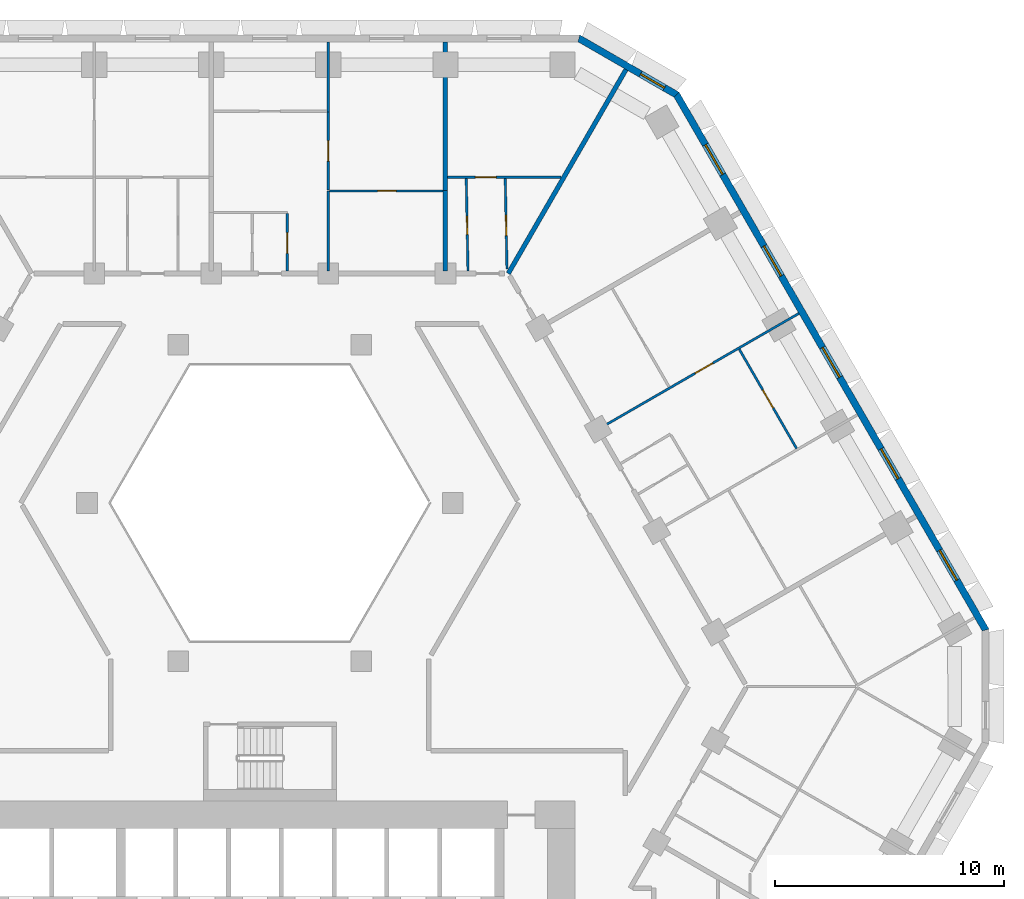
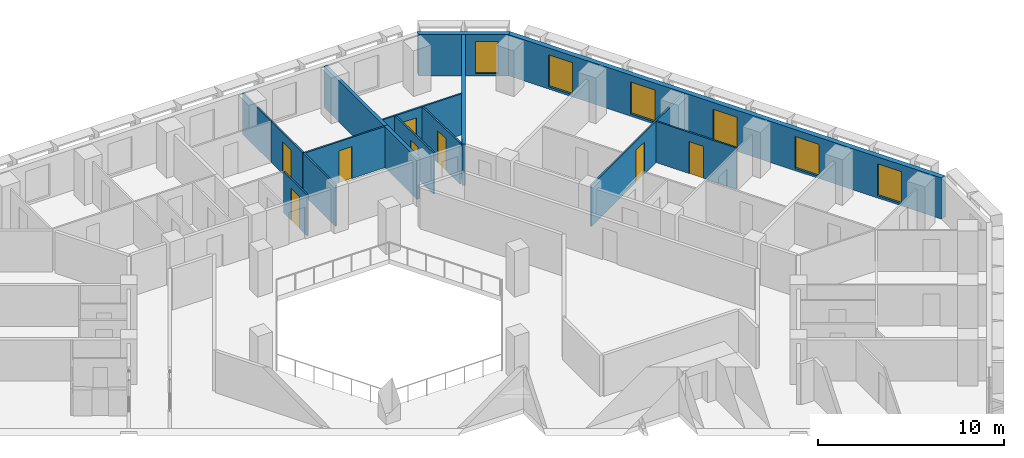
# One storey, part 10 of 16: 15 walls, 8 doors, 6 windows, 14 openings.
"""IFC4 building model written with IfcOpenShell, lengths in metres."""

from ifc_helpers import new_model, si_unit, direction, frame, frame_2d, origin, place, context, subcontext, project, spatial, polyline, rectangle, outline, extrude, material, layer, layer_set, type_object, element, fill, save


model = new_model("IFC4")

# Units and contexts
model_context = context("Model", 3, precision=1e-05, world=origin(), true_north=direction((0.0, 1.0)))
body_context = subcontext(model_context, "Body", "Model", "MODEL_VIEW")
ifc_project = project(units=[si_unit("LENGTHUNIT", "METRE"), si_unit("AREAUNIT", "SQUARE_METRE"), si_unit("VOLUMEUNIT", "CUBIC_METRE"), si_unit("PLANEANGLEUNIT", "RADIAN"), si_unit("MASSUNIT", "GRAM", prefix="KILO")], contexts=[model_context])

# Site, building, storey
site_placement = place(None, origin())
site = spatial("IfcSite", under=ifc_project, at=site_placement, CompositionType="ELEMENT")
building_placement = place(site_placement, origin())
building = spatial("IfcBuilding", under=site, at=building_placement, Name="Beryl Residences", CompositionType="ELEMENT")
storey_placement = place(building_placement, frame((0.0, 0.0, 38.39990234375)))
storey = spatial("IfcBuildingStorey", under=building, at=storey_placement, Name="L11", CompositionType="ELEMENT", Elevation=38.39990234375)

# Wall, openings, windows
ifc_material_1 = material(Name="Composite metal panel with mineral wool insulation")
ifc_layer_1 = layer(ifc_material_1, 0.300048828125)
ifc_layer_set_1 = layer_set([ifc_layer_1], Name="ES1 pale metal composite panel wall 300 mm")
wall_type_1 = type_object("IfcWallType", Name="ES1 pale metal composite panel wall 300 mm", PredefinedType="SOLIDWALL", material=ifc_layer_set_1)
wall_1_placement = place(storey_placement, frame((31.219970703125, 2.425048828125, 0.0), z_axis=(0.0, 0.0, 1.0), x_axis=(-0.500001938803, 0.866024284413, 0.0)))
wall_1 = element("IfcWall", 1, at=wall_1_placement, inside=storey, type_object=wall_type_1, Name="ES1 external wall L11 NE", PredefinedType="SOLIDWALL", context=body_context, shape_type="SweptSolid", body=[
    extrude(outline(polyline([(0.0, -0.14990234375), (27.02001953125, -0.14990234375), (26.939697265625, 0.14990234375), (0.080322265625, 0.14990234375), (0.0, -0.14990234375)])), origin(), (0.0, 0.0, 1.0), 2.7001953125),
])
opening_1_placement = place(wall_1_placement, frame((2.552978515625, 0.0, 0.14990234375)))
opening_1 = element("IfcOpeningElement", 2, at=opening_1_placement, cuts=wall_1, Name="Opening W1", PredefinedType="OPENING", context=body_context, shape_type="SweptSolid", body=[
    extrude(rectangle(XDim=1.5, YDim=2.10009765625, at=frame_2d((0.75, 1.050048828125))), frame((0.0, 0.159912109375, 0.0), z_axis=(0.0, -1.0, 0.0), x_axis=(1.0, 0.0, 0.0)), (0.0, 0.0, 1.0), 0.320068359375),
])
opening_2_placement = place(wall_1_placement, frame((7.656982421875, 0.0, 0.14990234375)))
opening_2 = element("IfcOpeningElement", 3, at=opening_2_placement, cuts=wall_1, Name="Opening W1", PredefinedType="OPENING", context=body_context, shape_type="SweptSolid", body=[
    extrude(rectangle(XDim=1.5, YDim=2.10009765625, at=frame_2d((0.75, 1.050048828125))), frame((0.0, 0.159912109375, 0.0), z_axis=(0.0, -1.0, 0.0), x_axis=(1.0, 0.0, 0.0)), (0.0, 0.0, 1.0), 0.320068359375),
])
opening_3_placement = place(wall_1_placement, frame((12.760986328125, 0.0, 0.14990234375)))
opening_3 = element("IfcOpeningElement", 4, at=opening_3_placement, cuts=wall_1, Name="Opening W1", PredefinedType="OPENING", context=body_context, shape_type="SweptSolid", body=[
    extrude(rectangle(XDim=1.5, YDim=2.10009765625, at=frame_2d((0.75, 1.050048828125))), frame((0.0, 0.159912109375, 0.0), z_axis=(0.0, -1.0, 0.0), x_axis=(1.0, 0.0, 0.0)), (0.0, 0.0, 1.0), 0.320068359375),
])
opening_4_placement = place(wall_1_placement, frame((17.864990234375, 0.0, 0.14990234375)))
opening_4 = element("IfcOpeningElement", 5, at=opening_4_placement, cuts=wall_1, Name="Opening W1", PredefinedType="OPENING", context=body_context, shape_type="SweptSolid", body=[
    extrude(rectangle(XDim=1.5, YDim=2.10009765625, at=frame_2d((0.75, 1.050048828125))), frame((0.0, 0.159912109375, 0.0), z_axis=(0.0, -1.0, 0.0), x_axis=(1.0, 0.0, 0.0)), (0.0, 0.0, 1.0), 0.320068359375),
])
opening_5_placement = place(wall_1_placement, frame((22.968994140625, 0.0, 0.14990234375)))
opening_5 = element("IfcOpeningElement", 6, at=opening_5_placement, cuts=wall_1, Name="Opening W1", PredefinedType="OPENING", context=body_context, shape_type="SweptSolid", body=[
    extrude(rectangle(XDim=1.5, YDim=2.10009765625, at=frame_2d((0.75, 1.050048828125))), frame((0.0, 0.159912109375, 0.0), z_axis=(0.0, -1.0, 0.0), x_axis=(1.0, 0.0, 0.0)), (0.0, 0.0, 1.0), 0.320068359375),
])
ifc_material_2 = material(Name="Aluminium and clear glass", Category="aluminium")
window_type_1 = type_object("IfcWindowType", Name="W1 cell window 1500 x 2100 mm", PartitioningType="SINGLE_PANEL", PredefinedType="WINDOW", material=ifc_material_2)
window_1_placement = place(opening_1_placement, origin())
window_1 = element("IfcWindow", 7, at=window_1_placement, inside=storey, type_object=window_type_1, Name="W1 window L11 NE 2", OverallHeight=2.10009765625, OverallWidth=1.5, PartitioningType="SINGLE_PANEL", PredefinedType="WINDOW", context=body_context, shape_type="SweptSolid", body=[
    extrude(rectangle(XDim=1.5, YDim=2.10009765625, at=frame_2d((0.75, 1.050048828125))), frame((0.0, 0.030029296875, 0.0), z_axis=(0.0, -1.0, 0.0), x_axis=(1.0, 0.0, 0.0)), (0.0, 0.0, 1.0), 0.06005859375),
])
fill(opening_1, window_1)
window_2_placement = place(opening_2_placement, origin())
window_2 = element("IfcWindow", 8, at=window_2_placement, inside=storey, type_object=window_type_1, Name="W1 window L11 NE 4", OverallHeight=2.10009765625, OverallWidth=1.5, PartitioningType="SINGLE_PANEL", PredefinedType="WINDOW", context=body_context, shape_type="SweptSolid", body=[
    extrude(rectangle(XDim=1.5, YDim=2.10009765625, at=frame_2d((0.75, 1.050048828125))), frame((0.0, 0.030029296875, 0.0), z_axis=(0.0, -1.0, 0.0), x_axis=(1.0, 0.0, 0.0)), (0.0, 0.0, 1.0), 0.06005859375),
])
fill(opening_2, window_2)
window_3_placement = place(opening_3_placement, origin())
window_3 = element("IfcWindow", 9, at=window_3_placement, inside=storey, type_object=window_type_1, Name="W1 window L11 NE 6", OverallHeight=2.10009765625, OverallWidth=1.5, PartitioningType="SINGLE_PANEL", PredefinedType="WINDOW", context=body_context, shape_type="SweptSolid", body=[
    extrude(rectangle(XDim=1.5, YDim=2.10009765625, at=frame_2d((0.75, 1.050048828125))), frame((0.0, 0.030029296875, 0.0), z_axis=(0.0, -1.0, 0.0), x_axis=(1.0, 0.0, 0.0)), (0.0, 0.0, 1.0), 0.06005859375),
])
fill(opening_3, window_3)
window_4_placement = place(opening_4_placement, origin())
window_4 = element("IfcWindow", 10, at=window_4_placement, inside=storey, type_object=window_type_1, Name="W1 window L11 NE 8", OverallHeight=2.10009765625, OverallWidth=1.5, PartitioningType="SINGLE_PANEL", PredefinedType="WINDOW", context=body_context, shape_type="SweptSolid", body=[
    extrude(rectangle(XDim=1.5, YDim=2.10009765625, at=frame_2d((0.75, 1.050048828125))), frame((0.0, 0.030029296875, 0.0), z_axis=(0.0, -1.0, 0.0), x_axis=(1.0, 0.0, 0.0)), (0.0, 0.0, 1.0), 0.06005859375),
])
fill(opening_4, window_4)
window_5_placement = place(opening_5_placement, origin())
window_5 = element("IfcWindow", 11, at=window_5_placement, inside=storey, type_object=window_type_1, Name="W1 window L11 NE 10", OverallHeight=2.10009765625, OverallWidth=1.5, PartitioningType="SINGLE_PANEL", PredefinedType="WINDOW", context=body_context, shape_type="SweptSolid", body=[
    extrude(rectangle(XDim=1.5, YDim=2.10009765625, at=frame_2d((0.75, 1.050048828125))), frame((0.0, 0.030029296875, 0.0), z_axis=(0.0, -1.0, 0.0), x_axis=(1.0, 0.0, 0.0)), (0.0, 0.0, 1.0), 0.06005859375),
])
fill(opening_5, window_5)

# Wall, opening, window
wall_2_placement = place(storey_placement, frame((17.764892578125, 25.77001953125, 0.0), z_axis=(0.0, 0.0, 1.0), x_axis=(-0.866010750942, 0.50002537861, 0.0)))
wall_2 = element("IfcWall", 12, at=wall_2_placement, inside=storey, type_object=wall_type_1, Name="ES1 external wall L11 NE-N", PredefinedType="SOLIDWALL", context=body_context, shape_type="SweptSolid", body=[
    extrude(outline(polyline([(0.0, -0.14990234375), (4.999755859375, -0.14990234375), (4.91943359375, 0.14990234375), (0.080322265625, 0.14990234375), (0.0, -0.14990234375)])), origin(), (0.0, 0.0, 1.0), 2.7001953125),
])
opening_6_placement = place(wall_2_placement, frame((0.64990234375, 0.0, 0.14990234375)))
opening_6 = element("IfcOpeningElement", 13, at=opening_6_placement, cuts=wall_2, Name="Opening W2", PredefinedType="OPENING", context=body_context, shape_type="SweptSolid", body=[
    extrude(rectangle(XDim=1.199951171875, YDim=2.10009765625, at=frame_2d((0.60009765625, 1.050048828125))), frame((0.0, 0.159912109375, 0.0), z_axis=(0.0, -1.0, 0.0), x_axis=(1.0, 0.0, 0.0)), (0.0, 0.0, 1.0), 0.320068359375),
])
ifc_material_3 = material(Name="Aluminium and clear glass", Category="aluminium")
window_type_2 = type_object("IfcWindowType", Name="W2 chamfer window 1200 x 2100 mm", PartitioningType="SINGLE_PANEL", PredefinedType="WINDOW", material=ifc_material_3)
window_6_placement = place(opening_6_placement, origin())
window_6 = element("IfcWindow", 14, at=window_6_placement, inside=storey, type_object=window_type_2, Name="W2 window L11 NE-N 1", OverallHeight=2.10009765625, OverallWidth=1.199951171875, PartitioningType="SINGLE_PANEL", PredefinedType="WINDOW", context=body_context, shape_type="SweptSolid", body=[
    extrude(rectangle(XDim=1.199951171875, YDim=2.10009765625, at=frame_2d((0.60009765625, 1.050048828125))), frame((0.0, 0.030029296875, 0.0), z_axis=(0.0, -1.0, 0.0), x_axis=(1.0, 0.0, 0.0)), (0.0, 0.0, 1.0), 0.06005859375),
])
fill(opening_6, window_6)

# Wall, opening, door
ifc_material_4 = material(Name="Gypsum board partition on steel studs", Category="steel")
ifc_layer_2 = layer(ifc_material_4, 0.10009765625)
ifc_layer_set_2 = layer_set([ifc_layer_2], Name="PT1 partition 100 mm gypsum board on steel studs")
wall_type_2 = type_object("IfcWallType", Name="PT1 partition 100 mm gypsum board on steel studs", PredefinedType="PARTITIONING", material=ifc_layer_set_2)
wall_3_placement = place(storey_placement, frame((20.4599609375, 14.702880859375, 0.0), z_axis=(0.0, 0.0, 1.0), x_axis=(0.499918186652, -0.866072633591, 0.0)))
wall_3 = element("IfcWall", 15, at=wall_3_placement, inside=storey, type_object=wall_type_2, Name="Wall PT1 L11 007", PredefinedType="PARTITIONING", context=body_context, shape_type="SweptSolid", body=[
    extrude(rectangle(XDim=5.002685546875, YDim=0.10009765625, at=frame_2d((2.50146484375, 0.0))), origin(), (0.0, 0.0, 1.0), 2.7001953125),
])
opening_7_placement = place(wall_3_placement, frame((2.052001953125, 0.0, 0.0)))
opening_7 = element("IfcOpeningElement", 16, at=opening_7_placement, cuts=wall_3, Name="Opening D0453", PredefinedType="OPENING", context=body_context, shape_type="SweptSolid", body=[
    extrude(rectangle(XDim=0.89990234375, YDim=2.10009765625, at=frame_2d((0.449951171875, 1.050048828125))), frame((0.0, 0.06005859375, 0.0), z_axis=(0.0, -1.0, 0.0), x_axis=(1.0, 0.0, 0.0)), (0.0, 0.0, 1.0), 0.1201171875),
])
ifc_material_5 = material(Name="Timber door leaf", Category="wood")
door_type_1 = type_object("IfcDoorType", Name="D2 room door 900 x 2100 mm", OperationType="SINGLE_SWING_LEFT", PredefinedType="DOOR", material=ifc_material_5)
door_1_placement = place(opening_7_placement, origin())
door_1 = element("IfcDoor", 17, at=door_1_placement, inside=storey, type_object=door_type_1, Name="Door D0453 L11 001", OperationType="SINGLE_SWING_LEFT", OverallHeight=2.10009765625, OverallWidth=0.89990234375, PredefinedType="DOOR", context=body_context, shape_type="SweptSolid", body=[
    extrude(rectangle(XDim=0.89990234375, YDim=2.10009765625, at=frame_2d((0.449951171875, 1.050048828125))), frame((0.0, 0.02490234375, 0.0), z_axis=(0.0, -1.0, 0.0), x_axis=(1.0, 0.0, 0.0)), (0.0, 0.0, 1.0), 0.050048828125),
])
fill(opening_7, door_1)

wall_4_placement = place(storey_placement, frame((8.56201171875, 22.14990234375, 0.0), z_axis=(0.0, 0.0, 1.0), x_axis=(0.018504185939, -0.999828782894, 0.0)))
wall_4 = element("IfcWall", 18, at=wall_4_placement, inside=storey, type_object=wall_type_2, Name="Wall PT1 L11 008", PredefinedType="PARTITIONING", context=body_context, shape_type="SweptSolid", body=[
    extrude(rectangle(XDim=4.050537109375, YDim=0.10009765625, at=frame_2d((2.025390625, 0.0))), origin(), (0.0, 0.0, 1.0), 2.7001953125),
])
opening_8_placement = place(wall_4_placement, frame((1.64990234375, 0.0, 0.0)))
opening_8 = element("IfcOpeningElement", 19, at=opening_8_placement, cuts=wall_4, Name="Opening D0460", PredefinedType="OPENING", context=body_context, shape_type="SweptSolid", body=[
    extrude(rectangle(XDim=0.800048828125, YDim=2.10009765625, at=frame_2d((0.39990234375, 1.050048828125))), frame((0.0, 0.06005859375, 0.0), z_axis=(0.0, -1.0, 0.0), x_axis=(1.0, 0.0, 0.0)), (0.0, 0.0, 1.0), 0.1201171875),
])
ifc_material_6 = material(Name="Timber door leaf", Category="wood")
door_type_2 = type_object("IfcDoorType", Name="D3 bathroom door 800 x 2100 mm", OperationType="SINGLE_SWING_LEFT", PredefinedType="DOOR", material=ifc_material_6)
door_2_placement = place(opening_8_placement, origin())
door_2 = element("IfcDoor", 20, at=door_2_placement, inside=storey, type_object=door_type_2, Name="Door D0460 L11 001", OperationType="SINGLE_SWING_RIGHT", OverallHeight=2.10009765625, OverallWidth=0.800048828125, PredefinedType="DOOR", context=body_context, shape_type="SweptSolid", body=[
    extrude(rectangle(XDim=0.800048828125, YDim=2.10009765625, at=frame_2d((0.39990234375, 1.050048828125))), frame((0.0, 0.02490234375, 0.0), z_axis=(0.0, -1.0, 0.0), x_axis=(1.0, 0.0, 0.0)), (0.0, 0.0, 1.0), 0.050048828125),
])
fill(opening_8, door_2)

wall_5_placement = place(storey_placement, frame((10.261962890625, 22.14990234375, 0.0), z_axis=(0.0, 0.0, 1.0), x_axis=(0.018696971826, -0.999825196344, 0.0)))
wall_5 = element("IfcWall", 21, at=wall_5_placement, inside=storey, type_object=wall_type_2, Name="Wall PT1 L11 009", PredefinedType="PARTITIONING", context=body_context, shape_type="SweptSolid", body=[
    extrude(rectangle(XDim=3.95654296875, YDim=0.10009765625, at=frame_2d((1.978271484375, 0.0))), origin(), (0.0, 0.0, 1.0), 2.7001953125),
])
opening_9_placement = place(wall_5_placement, frame((1.60009765625, 0.0, 0.0)))
opening_9 = element("IfcOpeningElement", 22, at=opening_9_placement, cuts=wall_5, Name="Opening D0461", PredefinedType="OPENING", context=body_context, shape_type="SweptSolid", body=[
    extrude(rectangle(XDim=0.89990234375, YDim=2.10009765625, at=frame_2d((0.449951171875, 1.050048828125))), frame((0.0, 0.06005859375, 0.0), z_axis=(0.0, -1.0, 0.0), x_axis=(1.0, 0.0, 0.0)), (0.0, 0.0, 1.0), 0.1201171875),
])
door_3_placement = place(opening_9_placement, origin())
door_3 = element("IfcDoor", 23, at=door_3_placement, inside=storey, type_object=door_type_1, Name="Door D0461 L11 001", OperationType="SINGLE_SWING_LEFT", OverallHeight=2.10009765625, OverallWidth=0.89990234375, PredefinedType="DOOR", context=body_context, shape_type="SweptSolid", body=[
    extrude(rectangle(XDim=0.89990234375, YDim=2.10009765625, at=frame_2d((0.449951171875, 1.050048828125))), frame((0.0, 0.02490234375, 0.0), z_axis=(0.0, -1.0, 0.0), x_axis=(1.0, 0.0, 0.0)), (0.0, 0.0, 1.0), 0.050048828125),
])
fill(opening_9, door_3)

wall_6_placement = place(storey_placement, frame((0.764892578125, 20.60888671875, 0.0), z_axis=(0.0, 0.0, 1.0), x_axis=(0.0, -1.0, 0.0)))
wall_6 = element("IfcWall", 24, at=wall_6_placement, inside=storey, type_object=wall_type_2, Name="Wall PT1 L11 013", PredefinedType="PARTITIONING", context=body_context, shape_type="SweptSolid", body=[
    extrude(rectangle(XDim=2.5087890625, YDim=0.10009765625, at=frame_2d((1.25439453125, 0.0))), origin(), (0.0, 0.0, 1.0), 2.7001953125),
])
opening_10_placement = place(wall_6_placement, frame((0.8291015625, 0.0, 0.0)))
opening_10 = element("IfcOpeningElement", 25, at=opening_10_placement, cuts=wall_6, Name="Opening D0464", PredefinedType="OPENING", context=body_context, shape_type="SweptSolid", body=[
    extrude(rectangle(XDim=0.89990234375, YDim=2.10009765625, at=frame_2d((0.449951171875, 1.050048828125))), frame((0.0, 0.06005859375, 0.0), z_axis=(0.0, -1.0, 0.0), x_axis=(1.0, 0.0, 0.0)), (0.0, 0.0, 1.0), 0.1201171875),
])
door_4_placement = place(opening_10_placement, origin())
door_4 = element("IfcDoor", 26, at=door_4_placement, inside=storey, type_object=door_type_1, Name="Door D0464 L11 001", OperationType="SINGLE_SWING_RIGHT", OverallHeight=2.10009765625, OverallWidth=0.89990234375, PredefinedType="DOOR", context=body_context, shape_type="SweptSolid", body=[
    extrude(rectangle(XDim=0.89990234375, YDim=2.10009765625, at=frame_2d((0.449951171875, 1.050048828125))), frame((0.0, 0.02490234375, 0.0), z_axis=(0.0, -1.0, 0.0), x_axis=(1.0, 0.0, 0.0)), (0.0, 0.0, 1.0), 0.050048828125),
])
fill(opening_10, door_4)

wall_7_placement = place(storey_placement, frame((2.551025390625, 25.0400390625, 0.0), z_axis=(0.0, 0.0, 1.0), x_axis=(0.0, -1.0, 0.0)))
wall_7 = element("IfcWall", 27, at=wall_7_placement, inside=storey, type_object=wall_type_2, Name="Wall PT1 L11 014", PredefinedType="PARTITIONING", context=body_context, shape_type="SweptSolid", body=[
    extrude(rectangle(XDim=3.39013671875, YDim=0.10009765625, at=frame_2d((1.695068359375, 0.0))), origin(), (0.0, 0.0, 1.0), 2.7001953125),
])
opening_11_placement = place(wall_7_placement, frame((1.2451171875, 0.0, 0.0)))
opening_11 = element("IfcOpeningElement", 28, at=opening_11_placement, cuts=wall_7, Name="Opening D0467", PredefinedType="OPENING", context=body_context, shape_type="SweptSolid", body=[
    extrude(rectangle(XDim=0.89990234375, YDim=2.10009765625, at=frame_2d((0.449951171875, 1.050048828125))), frame((0.0, 0.06005859375, 0.0), z_axis=(0.0, -1.0, 0.0), x_axis=(1.0, 0.0, 0.0)), (0.0, 0.0, 1.0), 0.1201171875),
])
door_5_placement = place(opening_11_placement, origin())
door_5 = element("IfcDoor", 29, at=door_5_placement, inside=storey, type_object=door_type_1, Name="Door D0467 L11 001", OperationType="SINGLE_SWING_LEFT", OverallHeight=2.10009765625, OverallWidth=0.89990234375, PredefinedType="DOOR", context=body_context, shape_type="SweptSolid", body=[
    extrude(rectangle(XDim=0.89990234375, YDim=2.10009765625, at=frame_2d((0.449951171875, 1.050048828125))), frame((0.0, 0.02490234375, 0.0), z_axis=(0.0, -1.0, 0.0), x_axis=(1.0, 0.0, 0.0)), (0.0, 0.0, 1.0), 0.050048828125),
])
fill(opening_11, door_5)

wall_8_placement = place(storey_placement, frame((2.60107421875, 21.60009765625, 0.0), z_axis=(0.0, 0.0, 1.0), x_axis=(1.0, 0.0, 0.0)))
wall_8 = element("IfcWall", 30, at=wall_8_placement, inside=storey, type_object=wall_type_2, Name="Wall PT1 L11 036", PredefinedType="PARTITIONING", context=body_context, shape_type="SweptSolid", body=[
    extrude(rectangle(XDim=4.953857421875, YDim=0.10009765625, at=frame_2d((2.47705078125, 0.0))), origin(), (0.0, 0.0, 1.0), 2.7001953125),
])
opening_12_placement = place(wall_8_placement, frame((2.10205078125, 0.0, 0.0)))
opening_12 = element("IfcOpeningElement", 31, at=opening_12_placement, cuts=wall_8, Name="Opening D0468", PredefinedType="OPENING", context=body_context, shape_type="SweptSolid", body=[
    extrude(rectangle(XDim=0.800048828125, YDim=2.10009765625, at=frame_2d((0.39990234375, 1.050048828125))), frame((0.0, 0.06005859375, 0.0), z_axis=(0.0, -1.0, 0.0), x_axis=(1.0, 0.0, 0.0)), (0.0, 0.0, 1.0), 0.1201171875),
])
door_6_placement = place(opening_12_placement, origin())
door_6 = element("IfcDoor", 32, at=door_6_placement, inside=storey, type_object=door_type_2, Name="Door D0468 L11 001", OperationType="SINGLE_SWING_RIGHT", OverallHeight=2.10009765625, OverallWidth=0.800048828125, PredefinedType="DOOR", context=body_context, shape_type="SweptSolid", body=[
    extrude(rectangle(XDim=0.800048828125, YDim=2.10009765625, at=frame_2d((0.39990234375, 1.050048828125))), frame((0.0, 0.02490234375, 0.0), z_axis=(0.0, -1.0, 0.0), x_axis=(1.0, 0.0, 0.0)), (0.0, 0.0, 1.0), 0.050048828125),
])
fill(opening_12, door_6)

wall_9_placement = place(storey_placement, frame((7.7548828125, 22.199951171875, 0.0), z_axis=(0.0, 0.0, 1.0), x_axis=(1.0, 0.0, 0.0)))
wall_9 = element("IfcWall", 33, at=wall_9_placement, inside=storey, type_object=wall_type_2, Name="Wall PT1 L11 038", PredefinedType="PARTITIONING", context=body_context, shape_type="SweptSolid", body=[
    extrude(rectangle(XDim=4.947021484375, YDim=0.10009765625, at=frame_2d((2.4736328125, 0.0))), origin(), (0.0, 0.0, 1.0), 2.7001953125),
])
opening_13_placement = place(wall_9_placement, frame((1.2060546875, 0.0, 0.0)))
opening_13 = element("IfcOpeningElement", 34, at=opening_13_placement, cuts=wall_9, Name="Opening D0462", PredefinedType="OPENING", context=body_context, shape_type="SweptSolid", body=[
    extrude(rectangle(XDim=0.89990234375, YDim=2.10009765625, at=frame_2d((0.449951171875, 1.050048828125))), frame((0.0, 0.06005859375, 0.0), z_axis=(0.0, -1.0, 0.0), x_axis=(1.0, 0.0, 0.0)), (0.0, 0.0, 1.0), 0.1201171875),
])
door_7_placement = place(opening_13_placement, origin())
door_7 = element("IfcDoor", 35, at=door_7_placement, inside=storey, type_object=door_type_1, Name="Door D0462 L11 001", OperationType="SINGLE_SWING_RIGHT", OverallHeight=2.10009765625, OverallWidth=0.89990234375, PredefinedType="DOOR", context=body_context, shape_type="SweptSolid", body=[
    extrude(rectangle(XDim=0.89990234375, YDim=2.10009765625, at=frame_2d((0.449951171875, 1.050048828125))), frame((0.0, 0.02490234375, 0.0), z_axis=(0.0, -1.0, 0.0), x_axis=(1.0, 0.0, 0.0)), (0.0, 0.0, 1.0), 0.050048828125),
])
fill(opening_13, door_7)

# Walls
wall_10_placement = place(storey_placement, frame((2.551025390625, 18.10009765625, 0.0), z_axis=(0.0, 0.0, 1.0), x_axis=(0.0, 1.0, 0.0)))
element("IfcWall", 36, at=wall_10_placement, inside=storey, type_object=wall_type_2, Name="Wall PT1 L11 049", PredefinedType="PARTITIONING", context=body_context, shape_type="SweptSolid", body=[
    extrude(rectangle(XDim=3.5, YDim=0.10009765625, at=frame_2d((1.75, 0.0))), origin(), (0.0, 0.0, 1.0), 2.7001953125),
])
wall_11_placement = place(storey_placement, frame((2.551025390625, 25.050048828125, 0.0), z_axis=(0.0, 0.0, 1.0), x_axis=(0.0, 1.0, 0.0)))
element("IfcWall", 37, at=wall_11_placement, inside=storey, type_object=wall_type_2, Name="Wall PT1 L11 050", PredefinedType="PARTITIONING", context=body_context, shape_type="SweptSolid", body=[
    extrude(rectangle(XDim=3.050048828125, YDim=0.10009765625, at=frame_2d((1.52490234375, 0.0))), origin(), (0.0, 0.0, 1.0), 2.7001953125),
])

# Wall, opening, door
wall_12_placement = place(storey_placement, frame((14.39892578125, 11.260986328125, 0.0), z_axis=(0.0, 0.0, 1.0), x_axis=(0.866022959057, 0.500004234368, 0.0)))
wall_12 = element("IfcWall", 38, at=wall_12_placement, inside=storey, type_object=wall_type_2, Name="Wall PT1 L11 068", PredefinedType="PARTITIONING", context=body_context, shape_type="SweptSolid", body=[
    extrude(rectangle(XDim=10.0, YDim=0.10009765625, at=frame_2d((5.0, 0.0))), origin(), (0.0, 0.0, 1.0), 2.7001953125),
])
opening_14_placement = place(wall_12_placement, frame((4.77490234375, 0.0, 0.0)))
opening_14 = element("IfcOpeningElement", 39, at=opening_14_placement, cuts=wall_12, Name="Opening D0454", PredefinedType="OPENING", context=body_context, shape_type="SweptSolid", body=[
    extrude(rectangle(XDim=0.89990234375, YDim=2.10009765625, at=frame_2d((0.449951171875, 1.050048828125))), frame((0.0, 0.06005859375, 0.0), z_axis=(0.0, -1.0, 0.0), x_axis=(1.0, 0.0, 0.0)), (0.0, 0.0, 1.0), 0.1201171875),
])
door_8_placement = place(opening_14_placement, origin())
door_8 = element("IfcDoor", 40, at=door_8_placement, inside=storey, type_object=door_type_1, Name="Door D0454 L11 001", OperationType="SINGLE_SWING_RIGHT", OverallHeight=2.10009765625, OverallWidth=0.89990234375, PredefinedType="DOOR", context=body_context, shape_type="SweptSolid", body=[
    extrude(rectangle(XDim=0.89990234375, YDim=2.10009765625, at=frame_2d((0.449951171875, 1.050048828125))), frame((0.0, 0.02490234375, 0.0), z_axis=(0.0, -1.0, 0.0), x_axis=(1.0, 0.0, 0.0)), (0.0, 0.0, 1.0), 0.050048828125),
])
fill(opening_14, door_8)

# Walls
ifc_material_7 = material(Name="Acoustic double stud gypsum board wall")
ifc_layer_3 = layer(ifc_material_7, 0.199951171875)
ifc_layer_set_3 = layer_set([ifc_layer_3], Name="PT3 party wall 200 mm acoustic double stud")
wall_type_3 = type_object("IfcWallType", Name="PT3 party wall 200 mm acoustic double stud", PredefinedType="PARTITIONING", material=ifc_layer_set_3)
wall_13_placement = place(storey_placement, frame((7.655029296875, 21.6201171875, 0.0), z_axis=(0.0, 0.0, 1.0), x_axis=(0.0, -1.0, 0.0)))
element("IfcWall", 41, at=wall_13_placement, inside=storey, type_object=wall_type_3, Name="Wall PT3 L11 003", PredefinedType="PARTITIONING", context=body_context, shape_type="SweptSolid", body=[
    extrude(rectangle(XDim=3.52001953125, YDim=0.199951171875, at=frame_2d((1.760009765625, 0.0))), origin(), (0.0, 0.0, 1.0), 2.7001953125),
])
wall_14_placement = place(storey_placement, frame((10.39306640625, 18.0, 0.0), z_axis=(0.0, 0.0, 1.0), x_axis=(0.499945497007, 0.866056868816, 0.0)))
element("IfcWall", 42, at=wall_14_placement, inside=storey, type_object=wall_type_3, Name="Wall PT3 L11 014", PredefinedType="PARTITIONING", context=body_context, shape_type="SweptSolid", body=[
    extrude(rectangle(XDim=10.264892578125, YDim=0.199951171875, at=frame_2d((5.13232421875, 0.0))), origin(), (0.0, 0.0, 1.0), 2.7001953125),
])
wall_15_placement = place(storey_placement, frame((7.655029296875, 21.580078125, 0.0), z_axis=(0.0, 0.0, 1.0), x_axis=(0.0, 1.0, 0.0)))
element("IfcWall", 43, at=wall_15_placement, inside=storey, type_object=wall_type_3, Name="Wall PT3 L11 017", PredefinedType="PARTITIONING", context=body_context, shape_type="SweptSolid", body=[
    extrude(rectangle(XDim=6.52001953125, YDim=0.199951171875, at=frame_2d((3.260009765625, 0.0))), origin(), (0.0, 0.0, 1.0), 2.7001953125),
])

save(model, "model.ifc")
